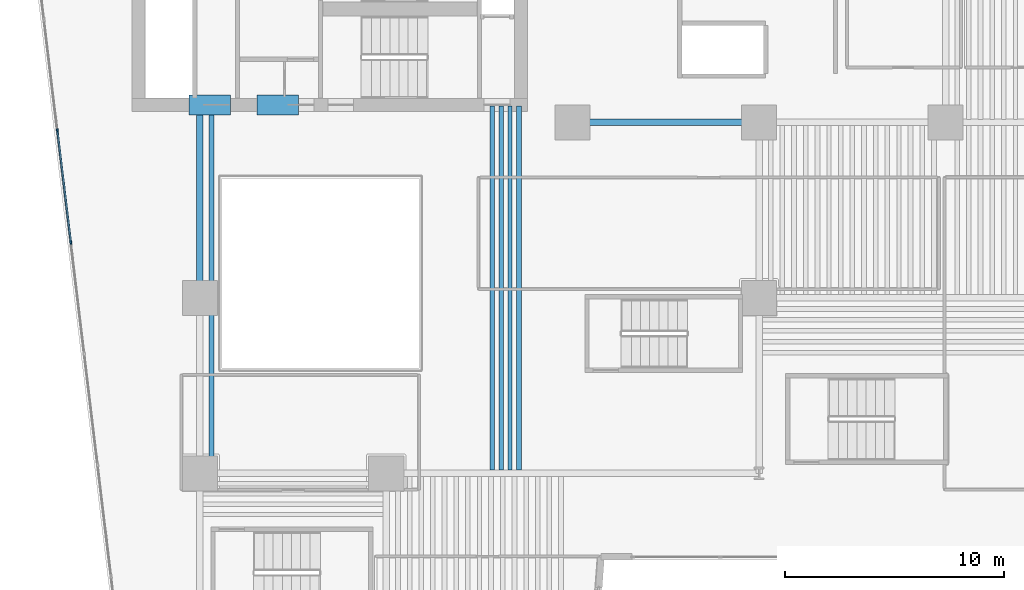
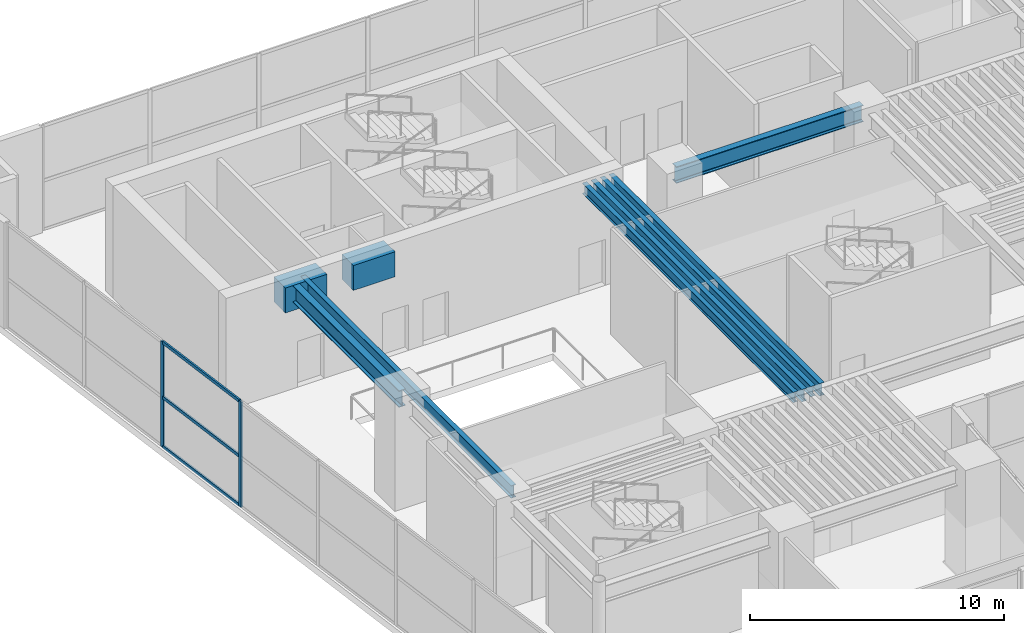
# One storey, part 3 of 16: 9 beams, 5 members, 1 element without a shape of its own.
"""IFC4 building model written with IfcOpenShell, lengths in metres."""

from ifc_helpers import new_model, si_unit, direction, frame, origin, origin_2d, place, context, subcontext, project, spatial, rectangle, i_section, extrude, material, layer, layer_set, material_profile, profile_set, type_object, element, aggregate, save


model = new_model("IFC4")

# Units and contexts
model_context = context("Model", 3, precision=1e-05, world=origin(), true_north=direction((0.0, 1.0)))
body_context = subcontext(model_context, "Body", "Model", "MODEL_VIEW")
ifc_project = project(units=[si_unit("LENGTHUNIT", "METRE"), si_unit("AREAUNIT", "SQUARE_METRE"), si_unit("VOLUMEUNIT", "CUBIC_METRE"), si_unit("PLANEANGLEUNIT", "RADIAN"), si_unit("MASSUNIT", "GRAM", prefix="KILO")], contexts=[model_context])

# Site, building, storey
site_placement = place(None, origin())
site = spatial("IfcSite", under=ifc_project, at=site_placement, CompositionType="ELEMENT")
building_placement = place(site_placement, origin())
building = spatial("IfcBuilding", under=site, at=building_placement, Name="Caeloran Harvest Quay", CompositionType="ELEMENT")
storey_placement = place(building_placement, frame((0.0, 0.0, 10.800048828125)))
storey = spatial("IfcBuildingStorey", under=building, at=storey_placement, Name="L03", CompositionType="ELEMENT", Elevation=10.800048828125)

# Beams
ifc_material_1 = material(Name="Concrete C80/95", Category="concrete")
ifc_material_profile_1 = material_profile(ifc_material_1, rectangle(XDim=0.89990234375, YDim=1.199951171875, at=origin_2d()), Name="RC 900x1200")
ifc_profile_set_1 = profile_set([ifc_material_profile_1], Name="Concrete C80/95")
beam_type_1 = type_object("IfcBeamType", Name="BM-CB-1-RC_900x1200", PredefinedType="LINTEL", material=ifc_profile_set_1)
for number, where, z_axis, x_axis, name in (
    (1, (8.0, 31.800048828125, 4.47998046875), (1.0, 0.0, 0.0), (0.0, 1.0, 0.0), "L03 Core Coupling Beam 1"),
    (2, (11.10009765625, 31.800048828125, 4.47998046875), (1.0, 0.0, 0.0), (0.0, 1.0, 0.0), "L03 Core Coupling Beam 2"),
):
    element("IfcBeam", number, at=place(storey_placement, frame(where, z_axis=z_axis, x_axis=x_axis)), inside=storey, type_object=beam_type_1, Name=name, PredefinedType="LINTEL", context=body_context, shape_type="SweptSolid", body=[
        extrude(rectangle(XDim=0.89990234375, YDim=1.199951171875, at=origin_2d()), origin(), (0.0, 0.0, 1.0), 1.89990234375),
    ])
ifc_material_2 = material(Name="Steel S355J2", Category="steel")
ifc_material_profile_2 = material_profile(ifc_material_2, i_section(OverallWidth=0.300048828125, OverallDepth=0.800048828125, WebThickness=0.017578125, FlangeThickness=0.032958984375, FilletRadius=0.030029296875, at=origin_2d()), Name="HE 800 B")
ifc_profile_set_2 = profile_set([ifc_material_profile_2], Name="Steel S355J2")
beam_type_2 = type_object("IfcBeamType", Name="BM-PG-1-HE_800_B", PredefinedType="BEAM", material=ifc_profile_set_2)
beam_1_placement = place(storey_placement, frame((25.5, 31.0, 4.679931640625), z_axis=(1.0, 0.0, 0.0), x_axis=(0.0, 1.0, 0.0)))
element("IfcBeam", 3, at=beam_1_placement, inside=storey, type_object=beam_type_2, Name="L03 Primary East-West Girder Y=31.0", PredefinedType="BEAM", context=body_context, shape_type="SweptSolid", body=[
    extrude(i_section(OverallWidth=0.300048828125, OverallDepth=0.800048828125, WebThickness=0.017578125, FlangeThickness=0.032958984375, FilletRadius=0.030029296875, at=origin_2d()), origin(), (0.0, 0.0, 1.0), 8.5),
])
beam_2_placement = place(storey_placement, frame((8.5, 23.0, 4.679931640625), z_axis=(0.0, 1.0, 0.0), x_axis=(-1.0, 0.0, 0.0)))
element("IfcBeam", 4, at=beam_2_placement, inside=storey, type_object=beam_type_2, Name="L03 Core South Tie Girder X=8.5", PredefinedType="BEAM", context=body_context, shape_type="SweptSolid", body=[
    extrude(i_section(OverallWidth=0.300048828125, OverallDepth=0.800048828125, WebThickness=0.017578125, FlangeThickness=0.032958984375, FilletRadius=0.030029296875, at=origin_2d()), origin(), (0.0, 0.0, 1.0), 8.75),
])
ifc_material_profile_3 = material_profile(ifc_material_2, i_section(OverallWidth=0.219970703125, OverallDepth=0.60009765625, WebThickness=0.011962890625, FlangeThickness=0.01904296875, FilletRadius=0.02392578125, at=origin_2d()), Name="IPE 600")
ifc_profile_set_3 = profile_set([ifc_material_profile_3], Name="Steel S355J2")
beam_type_3 = type_object("IfcBeamType", Name="BM-SB-1-IPE_600", PredefinedType="JOIST", material=ifc_profile_set_3)
for number, where, z_axis, x_axis, name in (
    (5, (9.03125, 15.14501953125, 4.780029296875), (0.0, 1.0, 0.0), (-1.0, 0.0, 0.0), "L03 Secondary Composite Joist"),
    (6, (22.240478515625, 15.14501953125, 4.780029296875), (0.0, 1.0, 0.0), (-1.0, 0.0, 0.0), "L03 Secondary Composite Joist"),
    (7, (23.046875, 15.14501953125, 4.780029296875), (0.0, 1.0, 0.0), (-1.0, 0.0, 0.0), "L03 Secondary Composite Joist"),
):
    element("IfcBeam", number, at=place(storey_placement, frame(where, z_axis=z_axis, x_axis=x_axis)), inside=storey, type_object=beam_type_3, Name=name, PredefinedType="JOIST", context=body_context, shape_type="SweptSolid", body=[
        extrude(i_section(OverallWidth=0.219970703125, OverallDepth=0.60009765625, WebThickness=0.011962890625, FlangeThickness=0.01904296875, FilletRadius=0.02392578125, at=origin_2d()), origin(), (0.0, 0.0, 1.0), 16.60498046875),
    ])
ifc_material_profile_4 = material_profile(ifc_material_2, i_section(OverallWidth=0.199951171875, OverallDepth=0.5, WebThickness=0.01025390625, FlangeThickness=0.01611328125, FilletRadius=0.02099609375, at=origin_2d()), Name="IPE 500")
ifc_profile_set_4 = profile_set([ifc_material_profile_4], Name="Steel S355J2")
beam_type_4 = type_object("IfcBeamType", Name="BM-SB-2-IPE_500", PredefinedType="JOIST", material=ifc_profile_set_4)
for number, where, z_axis, x_axis, name in (
    (8, (21.83740234375, 15.14501953125, 4.829833984375), (0.0, 1.0, 0.0), (-1.0, 0.0, 0.0), "L03 Secondary Composite Joist"),
    (9, (22.643798828125, 15.14501953125, 4.829833984375), (0.0, 1.0, 0.0), (-1.0, 0.0, 0.0), "L03 Secondary Composite Joist"),
):
    element("IfcBeam", number, at=place(storey_placement, frame(where, z_axis=z_axis, x_axis=x_axis)), inside=storey, type_object=beam_type_4, Name=name, PredefinedType="JOIST", context=body_context, shape_type="SweptSolid", body=[
        extrude(i_section(OverallWidth=0.199951171875, OverallDepth=0.5, WebThickness=0.01025390625, FlangeThickness=0.01611328125, FilletRadius=0.02099609375, at=origin_2d()), origin(), (0.0, 0.0, 1.0), 16.60498046875),
    ])

# Curtain wall, members
ifc_material_3 = material(Name="Aluminium 6063-T6 and Low-E Glazing", Category="aluminium")
ifc_layer = layer(ifc_material_3, 0.179931640625, Name="Aluminium 6063-T6 and Low-E Glazing")
ifc_layer_set = layer_set([ifc_layer], Name="Aluminium 6063-T6 and Low-E Glazing")
curtain_wall_type = type_object("IfcCurtainWallType", Name="CW-SYS-CW-1", PredefinedType="USERDEFINED", material=ifc_layer_set)
curtain_wall_placement = place(storey_placement, origin())
curtain_wall = element("IfcCurtainWall", 10, at=curtain_wall_placement, inside=storey, type_object=curtain_wall_type, Name="L03 Unitised Curtain Wall CW-1 Run 3", ObjectType="CURTAIN_WALL", PredefinedType="USERDEFINED")
ifc_material_4 = material(Name="Aluminium 6063-T6", Category="aluminium")
ifc_material_profile_5 = material_profile(ifc_material_4, rectangle(XDim=0.080078125, YDim=0.179931640625, at=origin_2d()), Name="CW-MULLION-180")
ifc_profile_set_5 = profile_set([ifc_material_profile_5], Name="Aluminium 6063-T6")
member_type_1 = type_object("IfcMemberType", Name="CW-MULLION-180", PredefinedType="MULLION", material=ifc_profile_set_5)
member_1_placement = place(storey_placement, frame((2.6171875, 25.538330078125, 0.0), z_axis=(0.0, 0.0, 1.0), x_axis=(-0.992815527762, -0.11965503681, 0.0)))
member_1 = element("IfcMember", 11, at=member_1_placement, type_object=member_type_1, Name="CW-1 mullion 5", PredefinedType="MULLION", context=body_context, shape_type="SweptSolid", body=[
    extrude(rectangle(XDim=0.080078125, YDim=0.179931640625, at=origin_2d()), origin(), (0.0, 0.0, 1.0), 5.079833984375),
])
member_2_placement = place(storey_placement, frame((2.00537109375, 30.615234375, 0.0), z_axis=(0.0, 0.0, 1.0), x_axis=(-0.992815527762, -0.11965503681, 0.0)))
member_2 = element("IfcMember", 12, at=member_2_placement, type_object=member_type_1, Name="CW-1 mullion 6", PredefinedType="MULLION", context=body_context, shape_type="SweptSolid", body=[
    extrude(rectangle(XDim=0.080078125, YDim=0.179931640625, at=origin_2d()), origin(), (0.0, 0.0, 1.0), 5.079833984375),
])
ifc_material_profile_6 = material_profile(ifc_material_4, rectangle(XDim=0.080078125, YDim=0.14990234375, at=origin_2d()), Name="CW-TRANSOM-150")
ifc_profile_set_6 = profile_set([ifc_material_profile_6], Name="Aluminium 6063-T6")
member_type_2 = type_object("IfcMemberType", Name="CW-TRANSOM-150", PredefinedType="USERDEFINED", material=ifc_profile_set_6)
member_3_placement = place(storey_placement, frame((2.6123046875, 25.578125, 0.0400390625), z_axis=(-0.119657779641, 0.99281519719, 0.0), x_axis=(-0.99281519719, -0.119657779641, 0.0)))
member_3 = element("IfcMember", 13, at=member_3_placement, type_object=member_type_2, Name="CW-1 transom 5.1", ObjectType="TRANSOM", PredefinedType="USERDEFINED", context=body_context, shape_type="SweptSolid", body=[
    extrude(rectangle(XDim=0.080078125, YDim=0.14990234375, at=origin_2d()), origin(), (0.0, 0.0, 1.0), 5.033447265625),
])
member_4_placement = place(storey_placement, frame((2.6123046875, 25.578125, 2.39990234375), z_axis=(-0.119657779641, 0.99281519719, 0.0), x_axis=(-0.99281519719, -0.119657779641, 0.0)))
member_4 = element("IfcMember", 14, at=member_4_placement, type_object=member_type_2, Name="CW-1 transom 5.2", ObjectType="TRANSOM", PredefinedType="USERDEFINED", context=body_context, shape_type="SweptSolid", body=[
    extrude(rectangle(XDim=0.080078125, YDim=0.14990234375, at=origin_2d()), origin(), (0.0, 0.0, 1.0), 5.033447265625),
])
member_5_placement = place(storey_placement, frame((2.6123046875, 25.578125, 5.0400390625), z_axis=(-0.119657779641, 0.99281519719, 0.0), x_axis=(-0.99281519719, -0.119657779641, 0.0)))
member_5 = element("IfcMember", 15, at=member_5_placement, type_object=member_type_2, Name="CW-1 transom 5.3", ObjectType="TRANSOM", PredefinedType="USERDEFINED", context=body_context, shape_type="SweptSolid", body=[
    extrude(rectangle(XDim=0.080078125, YDim=0.14990234375, at=origin_2d()), origin(), (0.0, 0.0, 1.0), 5.033447265625),
])
aggregate(curtain_wall, [member_1, member_2, member_3, member_4, member_5])

save(model, "model.ifc")
